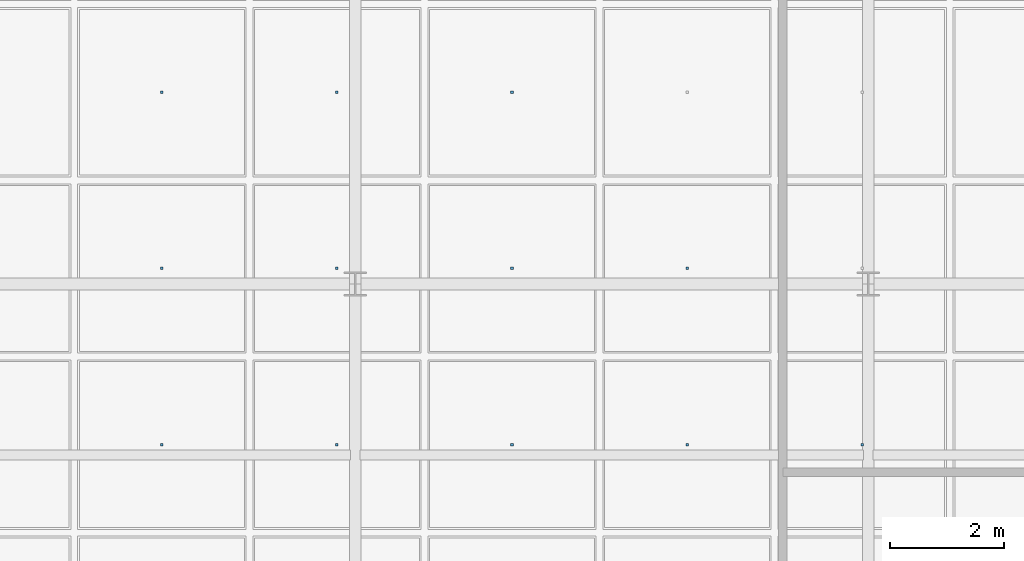
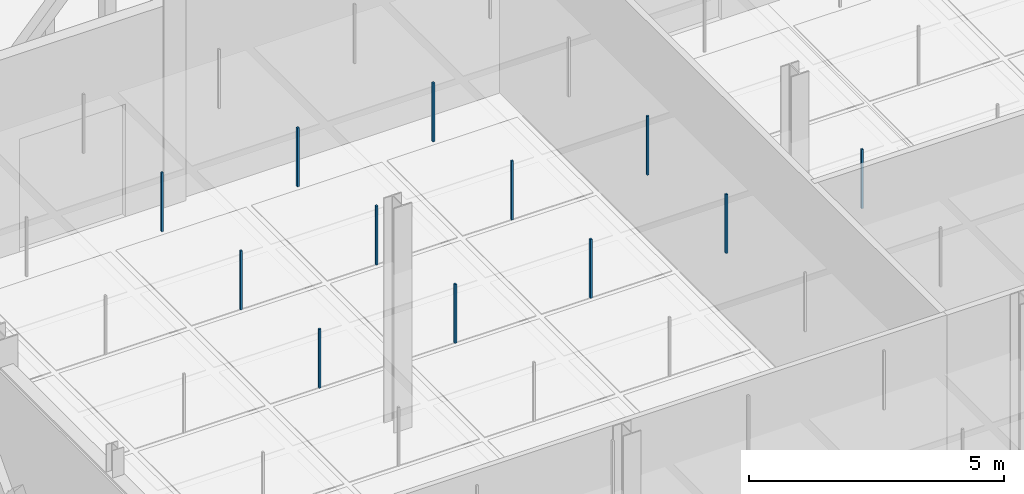
# One storey, part 117 of 180: 12 discrete accessories.
"""IFC4 building model written with IfcOpenShell, lengths in metres."""

from ifc_helpers import new_model, si_unit, direction, frame, origin, origin_2d, place, context, subcontext, project, spatial, rectangle, extrude, material, type_object, element, save


model = new_model("IFC4")

# Units and contexts
model_context = context("Model", 3, precision=1e-05, world=origin(), true_north=direction((0.0, 1.0)))
body_context = subcontext(model_context, "Body", "Model", "MODEL_VIEW")
ifc_project = project(units=[si_unit("LENGTHUNIT", "METRE"), si_unit("AREAUNIT", "SQUARE_METRE"), si_unit("VOLUMEUNIT", "CUBIC_METRE"), si_unit("PLANEANGLEUNIT", "RADIAN"), si_unit("MASSUNIT", "GRAM", prefix="KILO"), si_unit("THERMODYNAMICTEMPERATUREUNIT", "KELVIN"), si_unit("POWERUNIT", "WATT")], contexts=[model_context])

# Site, building, storey
site_placement = place(None, origin())
site = spatial("IfcSite", under=ifc_project, at=site_placement, CompositionType="ELEMENT")
building_placement = place(site_placement, origin())
building = spatial("IfcBuilding", under=site, at=building_placement, Name="Tallowbark Science Centre", CompositionType="ELEMENT")
storey_placement = place(building_placement, origin())
storey = spatial("IfcBuildingStorey", under=building, at=storey_placement, Name="L00", CompositionType="ELEMENT", Elevation=0.0)

# Discrete accessories
ifc_material = material(Name="Galvanised Steel Grade C350L0 (350 MPa)", Category="steel")
discrete_accessory_type = type_object("IfcDiscreteAccessoryType", Name="ACC-CLG-HNG", PredefinedType="BRACKET", material=ifc_material)
for number, where, z_axis, x_axis, name in (
    (1, (64.107177734375, 28.681884765625, 3.8095703125), (0.0, 0.0, 1.0), (1.0, 0.0, 0.0), "Ceiling Hanger Bracket L00-87"),
    (2, (64.107177734375, 31.772705078125, 3.8095703125), (0.0, 0.0, 1.0), (1.0, 0.0, 0.0), "Ceiling Hanger Bracket L00-88"),
    (3, (64.107177734375, 34.863525390625, 3.8095703125), (0.0, 0.0, 1.0), (1.0, 0.0, 0.0), "Ceiling Hanger Bracket L00-89"),
    (4, (67.1787109375, 28.681884765625, 3.8095703125), (0.0, 0.0, 1.0), (1.0, 0.0, 0.0), "Ceiling Hanger Bracket L00-95"),
    (5, (67.1787109375, 31.772705078125, 3.8095703125), (0.0, 0.0, 1.0), (1.0, 0.0, 0.0), "Ceiling Hanger Bracket L00-96"),
    (6, (67.1787109375, 34.863525390625, 3.8095703125), (0.0, 0.0, 1.0), (1.0, 0.0, 0.0), "Ceiling Hanger Bracket L00-97"),
    (7, (70.25, 28.681884765625, 3.8095703125), (0.0, 0.0, 1.0), (1.0, 0.0, 0.0), "Ceiling Hanger Bracket L00-103"),
    (8, (70.25, 31.772705078125, 3.8095703125), (0.0, 0.0, 1.0), (1.0, 0.0, 0.0), "Ceiling Hanger Bracket L00-104"),
    (9, (70.25, 34.863525390625, 3.8095703125), (0.0, 0.0, 1.0), (1.0, 0.0, 0.0), "Ceiling Hanger Bracket L00-105"),
    (10, (73.3212890625, 28.681884765625, 3.8095703125), (0.0, 0.0, 1.0), (1.0, 0.0, 0.0), "Ceiling Hanger Bracket L00-114"),
    (11, (73.3212890625, 31.772705078125, 3.8095703125), (0.0, 0.0, 1.0), (1.0, 0.0, 0.0), "Ceiling Hanger Bracket L00-115"),
    (12, (76.392822265625, 28.681884765625, 3.8095703125), (0.0, 0.0, 1.0), (1.0, 0.0, 0.0), "Ceiling Hanger Bracket L00-125"),
):
    element("IfcDiscreteAccessory", number, at=place(storey_placement, frame(where, z_axis=z_axis, x_axis=x_axis)), inside=storey, type_object=discrete_accessory_type, Name=name, PredefinedType="BRACKET", context=body_context, shape_type="SweptSolid", body=[
        extrude(rectangle(XDim=0.044921875, YDim=0.044921875, at=origin_2d()), origin(), (0.0, 0.0, 1.0), 1.41357421875),
    ])

save(model, "model.ifc")
